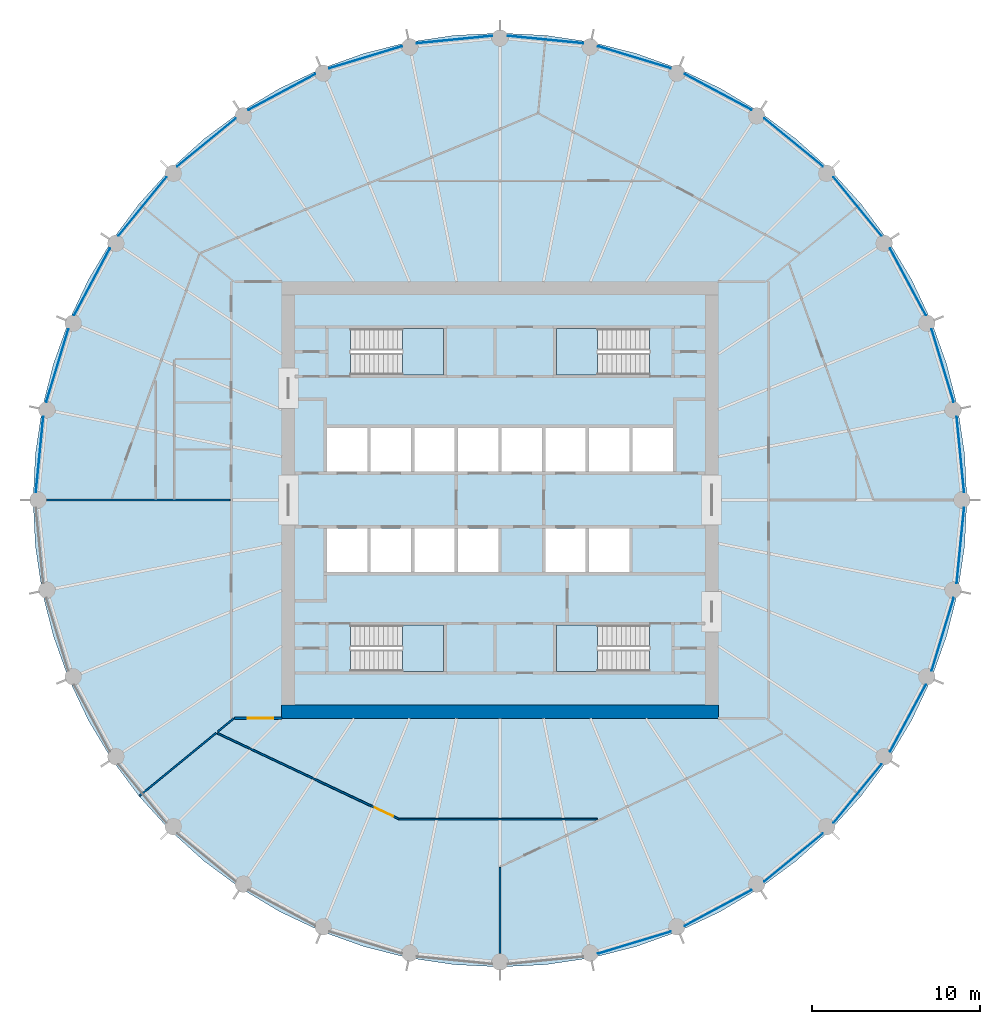
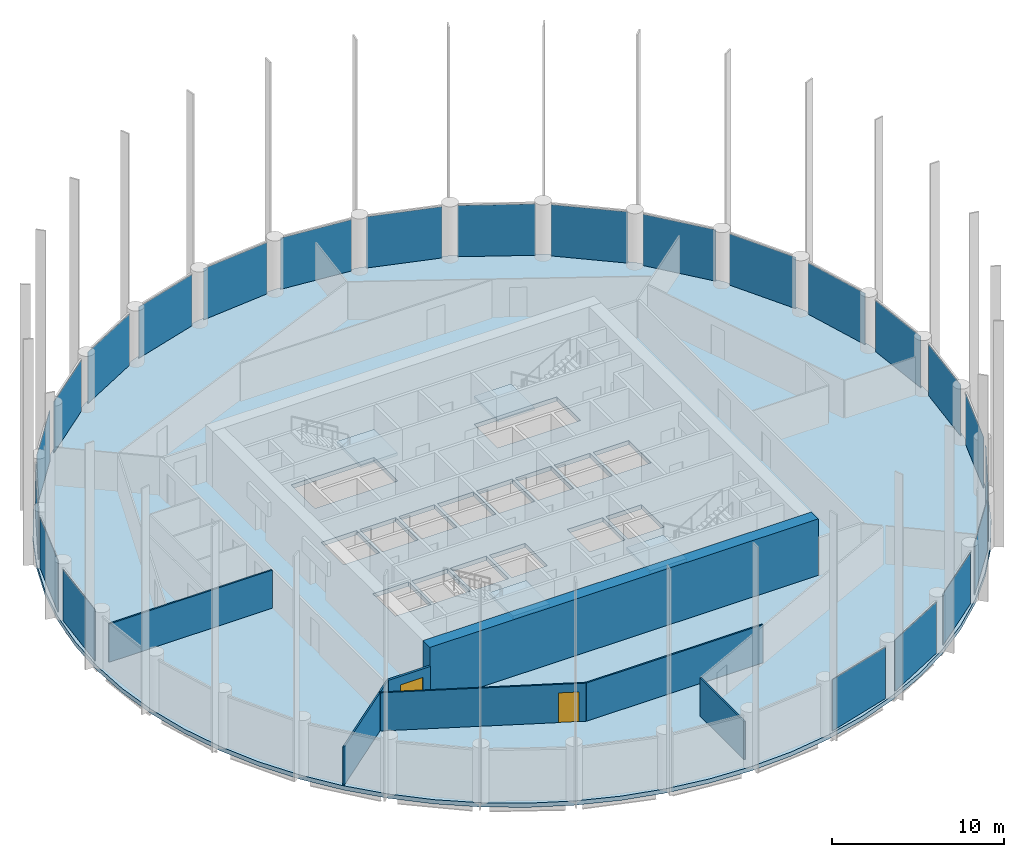
# One storey, part 3 of 8: 23 plates, 8 walls, 5 slabs, 2 doors, 2 openings, 27 elements without a shape of their own.
"""IFC4 building model written with IfcOpenShell, lengths in metres."""

from ifc_helpers import new_model, si_unit, direction, frame, frame_2d, origin, origin_2d, place, context, subcontext, project, spatial, polyline, rectangle, outline, extrude, material, layer, layer_set, type_object, element, fill, aggregate, save


model = new_model("IFC4")

# Units and contexts
model_context = context("Model", 3, precision=1e-05, world=origin(), true_north=direction((0.0, 1.0)))
body_context = subcontext(model_context, "Body", "Model", "MODEL_VIEW")
ifc_project = project(units=[si_unit("LENGTHUNIT", "METRE"), si_unit("AREAUNIT", "SQUARE_METRE"), si_unit("VOLUMEUNIT", "CUBIC_METRE"), si_unit("PLANEANGLEUNIT", "RADIAN"), si_unit("MASSUNIT", "GRAM", prefix="KILO")], contexts=[model_context])

# Site, building, storey
site_placement = place(None, origin())
site = spatial("IfcSite", under=ifc_project, at=site_placement, CompositionType="ELEMENT")
building_placement = place(site_placement, origin())
building = spatial("IfcBuilding", under=site, at=building_placement, Name="Corvane Civic Tower", CompositionType="ELEMENT")
storey_placement = place(building_placement, frame((0.0, 0.0, 233.5)))
storey = spatial("IfcBuildingStorey", under=building, at=storey_placement, Name="L55", CompositionType="ELEMENT", Elevation=233.5)

# Slab
ifc_material_1 = material(Name="Concrete C40/50", Category="concrete")
ifc_layer_1 = layer(ifc_material_1, 0.300048828125)
ifc_layer_set_1 = layer_set([ifc_layer_1], Name="Concrete C40/50")
slab_type_1 = type_object("IfcSlabType", Name="FLOOR SLAB 300", PredefinedType="FLOOR", material=ifc_layer_set_1)
slab_1_placement = place(storey_placement, frame((0.0, 0.0, -0.300048828125)))
element("IfcSlab", 1, at=slab_1_placement, inside=storey, type_object=slab_type_1, Name="SLB-L55", PredefinedType="FLOOR", context=body_context, shape_type="SweptSolid", body=[
    extrude(outline(polyline([(0.0, 27.800048828125), (-2.724853515625, 27.666015625), (-5.423583984375, 27.265869140625), (-8.06982421875, 26.60302734375), (-10.638671875, 25.683837890625), (-13.104736328125, 24.517333984375), (-15.44482421875, 23.11474609375), (-17.63623046875, 21.48974609375), (-19.657470703125, 19.657470703125), (-21.48974609375, 17.63623046875), (-23.11474609375, 15.44482421875), (-24.517333984375, 13.104736328125), (-25.683837890625, 10.638671875), (-26.60302734375, 8.06982421875), (-27.265869140625, 5.423583984375), (-27.666015625, 2.724853515625), (-27.800048828125, 0.0), (-27.666015625, -2.724853515625), (-27.265869140625, -5.423583984375), (-26.60302734375, -8.06982421875), (-25.683837890625, -10.638671875), (-24.517333984375, -13.104736328125), (-23.11474609375, -15.44482421875), (-21.48974609375, -17.63623046875), (-19.657470703125, -19.657470703125), (-17.63623046875, -21.48974609375), (-15.44482421875, -23.11474609375), (-13.104736328125, -24.517333984375), (-10.638671875, -25.683837890625), (-8.06982421875, -26.60302734375), (-5.423583984375, -27.265869140625), (-2.724853515625, -27.666015625), (0.0, -27.800048828125), (2.724853515625, -27.666015625), (5.423583984375, -27.265869140625), (8.06982421875, -26.60302734375), (10.638671875, -25.683837890625), (13.104736328125, -24.517333984375), (15.44482421875, -23.11474609375), (17.63623046875, -21.48974609375), (19.657470703125, -19.657470703125), (21.48974609375, -17.63623046875), (23.11474609375, -15.44482421875), (24.517333984375, -13.104736328125), (25.683837890625, -10.638671875), (26.60302734375, -8.06982421875), (27.265869140625, -5.423583984375), (27.666015625, -2.724853515625), (27.800048828125, 0.0), (27.666015625, 2.724853515625), (27.265869140625, 5.423583984375), (26.60302734375, 8.06982421875), (25.683837890625, 10.638671875), (24.517333984375, 13.104736328125), (23.11474609375, 15.44482421875), (21.48974609375, 17.63623046875), (19.657470703125, 19.657470703125), (17.63623046875, 21.48974609375), (15.44482421875, 23.11474609375), (13.104736328125, 24.517333984375), (10.638671875, 25.683837890625), (8.06982421875, 26.60302734375), (5.423583984375, 27.265869140625), (2.724853515625, 27.666015625), (0.0, 27.800048828125)]), holes=[polyline([(-10.300048828125, 4.300048828125), (-7.89990234375, 4.300048828125), (-7.89990234375, 1.699951171875), (-10.300048828125, 1.699951171875), (-10.300048828125, 4.300048828125)]), polyline([(-5.300048828125, 1.699951171875), (-7.699951171875, 1.699951171875), (-7.699951171875, 4.300048828125), (-5.300048828125, 4.300048828125), (-5.300048828125, 1.699951171875)]), polyline([(-5.10009765625, 4.300048828125), (-2.699951171875, 4.300048828125), (-2.699951171875, 1.699951171875), (-5.10009765625, 1.699951171875), (-5.10009765625, 4.300048828125)]), polyline([(-0.10009765625, 4.300048828125), (-0.10009765625, 1.699951171875), (-2.5, 1.699951171875), (-2.5, 4.300048828125), (-0.10009765625, 4.300048828125)]), polyline([(2.5, 4.300048828125), (2.5, 1.699951171875), (0.10009765625, 1.699951171875), (0.10009765625, 4.300048828125), (2.5, 4.300048828125)]), polyline([(2.699951171875, 4.300048828125), (5.10009765625, 4.300048828125), (5.10009765625, 1.699951171875), (2.699951171875, 1.699951171875), (2.699951171875, 4.300048828125)]), polyline([(5.300048828125, 4.300048828125), (7.699951171875, 4.300048828125), (7.699951171875, 1.699951171875), (5.300048828125, 1.699951171875), (5.300048828125, 4.300048828125)]), polyline([(7.89990234375, 4.300048828125), (10.300048828125, 4.300048828125), (10.300048828125, 1.699951171875), (7.89990234375, 1.699951171875), (7.89990234375, 4.300048828125)]), polyline([(-10.300048828125, -4.300048828125), (-10.300048828125, -1.699951171875), (-7.89990234375, -1.699951171875), (-7.89990234375, -4.300048828125), (-10.300048828125, -4.300048828125)]), polyline([(-5.300048828125, -1.699951171875), (-5.300048828125, -4.300048828125), (-7.699951171875, -4.300048828125), (-7.699951171875, -1.699951171875), (-5.300048828125, -1.699951171875)]), polyline([(-5.10009765625, -4.300048828125), (-5.10009765625, -1.699951171875), (-2.699951171875, -1.699951171875), (-2.699951171875, -4.300048828125), (-5.10009765625, -4.300048828125)]), polyline([(-0.10009765625, -1.699951171875), (-0.10009765625, -4.300048828125), (-2.5, -4.300048828125), (-2.5, -1.699951171875), (-0.10009765625, -1.699951171875)]), polyline([(5.10009765625, -1.699951171875), (5.10009765625, -4.300048828125), (2.699951171875, -4.300048828125), (2.699951171875, -1.699951171875), (5.10009765625, -1.699951171875)]), polyline([(7.699951171875, -1.699951171875), (7.699951171875, -4.300048828125), (5.300048828125, -4.300048828125), (5.300048828125, -1.699951171875), (7.699951171875, -1.699951171875)]), polyline([(8.889892578125, 10.199951171875), (8.889892578125, 7.449951171875), (3.35009765625, 7.449951171875), (3.35009765625, 10.199951171875), (8.889892578125, 10.199951171875)]), polyline([(-8.889892578125, 7.449951171875), (-8.889892578125, 10.199951171875), (-3.35009765625, 10.199951171875), (-3.35009765625, 7.449951171875), (-8.889892578125, 7.449951171875)]), polyline([(8.889892578125, -7.449951171875), (8.889892578125, -10.199951171875), (3.35009765625, -10.199951171875), (3.35009765625, -7.449951171875), (8.889892578125, -7.449951171875)]), polyline([(-8.889892578125, -10.199951171875), (-8.889892578125, -7.449951171875), (-3.35009765625, -7.449951171875), (-3.35009765625, -10.199951171875), (-8.889892578125, -10.199951171875)])]), origin(), (0.0, 0.0, 1.0), 0.300048828125),
])

# Stair, slab
ifc_material_2 = material(Name="Concrete C40/50", Category="concrete")
stair_type = type_object("IfcStairType", Name="ST-STAIR-HALFTURN", PredefinedType="HALF_TURN_STAIR", material=ifc_material_2)
stair_1_placement = place(storey_placement, origin())
stair_1 = element("IfcStair", 2, at=stair_1_placement, inside=storey, type_object=stair_type, Name="L55 Exit stair ST1", PredefinedType="HALF_TURN_STAIR")
ifc_material_3 = material(Name="Concrete C40/50", Category="concrete")
ifc_layer_2 = layer(ifc_material_3, 0.199951171875)
ifc_layer_set_2 = layer_set([ifc_layer_2], Name="Concrete C40/50")
slab_type_2 = type_object("IfcSlabType", Name="ST-LANDING-RC", PredefinedType="LANDING", material=ifc_layer_set_2)
slab_2_placement = place(storey_placement, frame((0.0, 0.0, 1.800048828125)))
slab_2 = element("IfcSlab", 3, at=slab_2_placement, type_object=slab_type_2, Name="ST1 landing 1", PredefinedType="LANDING", context=body_context, shape_type="SweptSolid", body=[
    extrude(outline(polyline([(5.820068359375, 10.199951171875), (3.35009765625, 10.199951171875), (3.35009765625, 7.449951171875), (5.820068359375, 7.449951171875), (5.820068359375, 10.199951171875)])), origin(), (0.0, 0.0, 1.0), 0.199951171875),
])
aggregate(stair_1, [slab_2])

stair_2_placement = place(storey_placement, origin())
stair_2 = element("IfcStair", 4, at=stair_2_placement, inside=storey, type_object=stair_type, Name="L55 Exit stair ST2", PredefinedType="HALF_TURN_STAIR")
slab_3_placement = place(storey_placement, frame((0.0, 0.0, 1.800048828125)))
slab_3 = element("IfcSlab", 5, at=slab_3_placement, type_object=slab_type_2, Name="ST2 landing 1", PredefinedType="LANDING", context=body_context, shape_type="SweptSolid", body=[
    extrude(outline(polyline([(5.820068359375, -7.449951171875), (3.35009765625, -7.449951171875), (3.35009765625, -10.199951171875), (5.820068359375, -10.199951171875), (5.820068359375, -7.449951171875)])), origin(), (0.0, 0.0, 1.0), 0.199951171875),
])
aggregate(stair_2, [slab_3])

stair_3_placement = place(storey_placement, origin())
stair_3 = element("IfcStair", 6, at=stair_3_placement, inside=storey, type_object=stair_type, Name="L55 Exit stair ST3", PredefinedType="HALF_TURN_STAIR")
slab_4_placement = place(storey_placement, frame((0.0, 0.0, 1.800048828125)))
slab_4 = element("IfcSlab", 7, at=slab_4_placement, type_object=slab_type_2, Name="ST3 landing 1", PredefinedType="LANDING", context=body_context, shape_type="SweptSolid", body=[
    extrude(outline(polyline([(-5.820068359375, -10.199951171875), (-3.35009765625, -10.199951171875), (-3.35009765625, -7.449951171875), (-5.820068359375, -7.449951171875), (-5.820068359375, -10.199951171875)])), origin(), (0.0, 0.0, 1.0), 0.199951171875),
])
aggregate(stair_3, [slab_4])

stair_4_placement = place(storey_placement, origin())
stair_4 = element("IfcStair", 8, at=stair_4_placement, inside=storey, type_object=stair_type, Name="L55 Exit stair ST4", PredefinedType="HALF_TURN_STAIR")
slab_5_placement = place(storey_placement, frame((0.0, 0.0, 1.800048828125)))
slab_5 = element("IfcSlab", 9, at=slab_5_placement, type_object=slab_type_2, Name="ST4 landing 1", PredefinedType="LANDING", context=body_context, shape_type="SweptSolid", body=[
    extrude(outline(polyline([(-5.820068359375, 7.449951171875), (-3.35009765625, 7.449951171875), (-3.35009765625, 10.199951171875), (-5.820068359375, 10.199951171875), (-5.820068359375, 7.449951171875)])), origin(), (0.0, 0.0, 1.0), 0.199951171875),
])
aggregate(stair_4, [slab_5])

# Curtain wall, plate
ifc_material_4 = material(Name="Anodised aluminium bronze", Category="aluminium")
curtain_wall_type = type_object("IfcCurtainWallType", Name="TOWER CW-T2 STICK CURTAIN WALL", PredefinedType="NOTDEFINED", material=ifc_material_4)
curtain_wall_1_placement = place(storey_placement, origin())
curtain_wall_1 = element("IfcCurtainWall", 10, at=curtain_wall_1_placement, inside=storey, type_object=curtain_wall_type, Name="Curtain wall CW-T2 L55 bay 01", PredefinedType="NOTDEFINED")
ifc_material_5 = material(Name="Tinted glass", Category="glass")
ifc_layer_3 = layer(ifc_material_5, 0.031982421875)
ifc_layer_set_3 = layer_set([ifc_layer_3], Name="Tinted glass")
plate_type = type_object("IfcPlateType", Name="TOWER CW-T2 PANEL IGU32", PredefinedType="CURTAIN_PANEL", material=ifc_layer_set_3)
plate_1_placement = place(storey_placement, frame((2.699951171875, 27.4140625, 0.0), z_axis=(0.0, 0.0, 1.0), x_axis=(0.995187058378, -0.097993463235, 0.0)))
plate_1 = element("IfcPlate", 11, at=plate_1_placement, type_object=plate_type, Name="Glass panel CW-T2 L55 01.1", PredefinedType="CURTAIN_PANEL", context=body_context, shape_type="SweptSolid", body=[
    extrude(rectangle(XDim=4.517333984375, YDim=0.031982421875, at=origin_2d()), origin(), (0.0, 0.0, 1.0), 3.6298828125),
])
aggregate(curtain_wall_1, [plate_1])

curtain_wall_2_placement = place(storey_placement, origin())
curtain_wall_2 = element("IfcCurtainWall", 12, at=curtain_wall_2_placement, inside=storey, type_object=curtain_wall_type, Name="Curtain wall CW-T2 L55 bay 02", PredefinedType="NOTDEFINED")
plate_2_placement = place(storey_placement, frame((7.996337890625, 26.360595703125, 0.0), z_axis=(0.0, 0.0, 1.0), x_axis=(0.956938843612, -0.290289596069, 0.0)))
plate_2 = element("IfcPlate", 13, at=plate_2_placement, type_object=plate_type, Name="Glass panel CW-T2 L55 02.1", PredefinedType="CURTAIN_PANEL", context=body_context, shape_type="SweptSolid", body=[
    extrude(rectangle(XDim=4.517333984375, YDim=0.031982421875, at=origin_2d()), origin(), (0.0, 0.0, 1.0), 3.6298828125),
])
aggregate(curtain_wall_2, [plate_2])

curtain_wall_3_placement = place(storey_placement, origin())
curtain_wall_3 = element("IfcCurtainWall", 14, at=curtain_wall_3_placement, inside=storey, type_object=curtain_wall_type, Name="Curtain wall CW-T2 L55 bay 03", PredefinedType="NOTDEFINED")
plate_3_placement = place(storey_placement, frame((12.9853515625, 24.294189453125, 0.0), z_axis=(0.0, 0.0, 1.0), x_axis=(0.881920381001, -0.471398389449, 0.0)))
plate_3 = element("IfcPlate", 15, at=plate_3_placement, type_object=plate_type, Name="Glass panel CW-T2 L55 03.1", PredefinedType="CURTAIN_PANEL", context=body_context, shape_type="SweptSolid", body=[
    extrude(rectangle(XDim=4.517333984375, YDim=0.031982421875, at=origin_2d()), origin(), (0.0, 0.0, 1.0), 3.6298828125),
])
aggregate(curtain_wall_3, [plate_3])

curtain_wall_4_placement = place(storey_placement, origin())
curtain_wall_4 = element("IfcCurtainWall", 16, at=curtain_wall_4_placement, inside=storey, type_object=curtain_wall_type, Name="Curtain wall CW-T2 L55 bay 04", PredefinedType="NOTDEFINED")
plate_4_placement = place(storey_placement, frame((17.475341796875, 21.2939453125, 0.0), z_axis=(0.0, 0.0, 1.0), x_axis=(0.773012269331, -0.634391071394, 0.0)))
plate_4 = element("IfcPlate", 17, at=plate_4_placement, type_object=plate_type, Name="Glass panel CW-T2 L55 04.1", PredefinedType="CURTAIN_PANEL", context=body_context, shape_type="SweptSolid", body=[
    extrude(rectangle(XDim=4.517333984375, YDim=0.031982421875, at=origin_2d()), origin(), (0.0, 0.0, 1.0), 3.6298828125),
])
aggregate(curtain_wall_4, [plate_4])

curtain_wall_5_placement = place(storey_placement, origin())
curtain_wall_5 = element("IfcCurtainWall", 18, at=curtain_wall_5_placement, inside=storey, type_object=curtain_wall_type, Name="Curtain wall CW-T2 L55 bay 05", PredefinedType="NOTDEFINED")
plate_5_placement = place(storey_placement, frame((21.2939453125, 17.475341796875, 0.0), z_axis=(0.0, 0.0, 1.0), x_axis=(0.634391071394, -0.773012269331, 0.0)))
plate_5 = element("IfcPlate", 19, at=plate_5_placement, type_object=plate_type, Name="Glass panel CW-T2 L55 05.1", PredefinedType="CURTAIN_PANEL", context=body_context, shape_type="SweptSolid", body=[
    extrude(rectangle(XDim=4.517333984375, YDim=0.031982421875, at=origin_2d()), origin(), (0.0, 0.0, 1.0), 3.6298828125),
])
aggregate(curtain_wall_5, [plate_5])

curtain_wall_6_placement = place(storey_placement, origin())
curtain_wall_6 = element("IfcCurtainWall", 20, at=curtain_wall_6_placement, inside=storey, type_object=curtain_wall_type, Name="Curtain wall CW-T2 L55 bay 06", PredefinedType="NOTDEFINED")
plate_6_placement = place(storey_placement, frame((24.294189453125, 12.9853515625, 0.0), z_axis=(0.0, 0.0, 1.0), x_axis=(0.471398389449, -0.881920381001, 0.0)))
plate_6 = element("IfcPlate", 21, at=plate_6_placement, type_object=plate_type, Name="Glass panel CW-T2 L55 06.1", PredefinedType="CURTAIN_PANEL", context=body_context, shape_type="SweptSolid", body=[
    extrude(rectangle(XDim=4.517333984375, YDim=0.031982421875, at=origin_2d()), origin(), (0.0, 0.0, 1.0), 3.6298828125),
])
aggregate(curtain_wall_6, [plate_6])

curtain_wall_7_placement = place(storey_placement, origin())
curtain_wall_7 = element("IfcCurtainWall", 22, at=curtain_wall_7_placement, inside=storey, type_object=curtain_wall_type, Name="Curtain wall CW-T2 L55 bay 07", PredefinedType="NOTDEFINED")
plate_7_placement = place(storey_placement, frame((26.360595703125, 7.996337890625, 0.0), z_axis=(0.0, 0.0, 1.0), x_axis=(0.290289596069, -0.956938843612, 0.0)))
plate_7 = element("IfcPlate", 23, at=plate_7_placement, type_object=plate_type, Name="Glass panel CW-T2 L55 07.1", PredefinedType="CURTAIN_PANEL", context=body_context, shape_type="SweptSolid", body=[
    extrude(rectangle(XDim=4.517333984375, YDim=0.031982421875, at=origin_2d()), origin(), (0.0, 0.0, 1.0), 3.6298828125),
])
aggregate(curtain_wall_7, [plate_7])

curtain_wall_8_placement = place(storey_placement, origin())
curtain_wall_8 = element("IfcCurtainWall", 24, at=curtain_wall_8_placement, inside=storey, type_object=curtain_wall_type, Name="Curtain wall CW-T2 L55 bay 08", PredefinedType="NOTDEFINED")
plate_8_placement = place(storey_placement, frame((27.4140625, 2.699951171875, 0.0), z_axis=(0.0, 0.0, 1.0), x_axis=(0.097993463235, -0.995187058378, 0.0)))
plate_8 = element("IfcPlate", 25, at=plate_8_placement, type_object=plate_type, Name="Glass panel CW-T2 L55 08.1", PredefinedType="CURTAIN_PANEL", context=body_context, shape_type="SweptSolid", body=[
    extrude(rectangle(XDim=4.517333984375, YDim=0.031982421875, at=origin_2d()), origin(), (0.0, 0.0, 1.0), 3.6298828125),
])
aggregate(curtain_wall_8, [plate_8])

curtain_wall_9_placement = place(storey_placement, origin())
curtain_wall_9 = element("IfcCurtainWall", 26, at=curtain_wall_9_placement, inside=storey, type_object=curtain_wall_type, Name="Curtain wall CW-T2 L55 bay 09", PredefinedType="NOTDEFINED")
plate_9_placement = place(storey_placement, frame((27.4140625, -2.699951171875, 0.0), z_axis=(0.0, 0.0, 1.0), x_axis=(-0.097993463235, -0.995187058378, 0.0)))
plate_9 = element("IfcPlate", 27, at=plate_9_placement, type_object=plate_type, Name="Glass panel CW-T2 L55 09.1", PredefinedType="CURTAIN_PANEL", context=body_context, shape_type="SweptSolid", body=[
    extrude(rectangle(XDim=4.517333984375, YDim=0.031982421875, at=origin_2d()), origin(), (0.0, 0.0, 1.0), 3.6298828125),
])
aggregate(curtain_wall_9, [plate_9])

curtain_wall_10_placement = place(storey_placement, origin())
curtain_wall_10 = element("IfcCurtainWall", 28, at=curtain_wall_10_placement, inside=storey, type_object=curtain_wall_type, Name="Curtain wall CW-T2 L55 bay 10", PredefinedType="NOTDEFINED")
plate_10_placement = place(storey_placement, frame((26.360595703125, -7.996337890625, 0.0), z_axis=(0.0, 0.0, 1.0), x_axis=(-0.290289596069, -0.956938843612, 0.0)))
plate_10 = element("IfcPlate", 29, at=plate_10_placement, type_object=plate_type, Name="Glass panel CW-T2 L55 10.1", PredefinedType="CURTAIN_PANEL", context=body_context, shape_type="SweptSolid", body=[
    extrude(rectangle(XDim=4.517333984375, YDim=0.031982421875, at=origin_2d()), origin(), (0.0, 0.0, 1.0), 3.6298828125),
])
aggregate(curtain_wall_10, [plate_10])

curtain_wall_11_placement = place(storey_placement, origin())
curtain_wall_11 = element("IfcCurtainWall", 30, at=curtain_wall_11_placement, inside=storey, type_object=curtain_wall_type, Name="Curtain wall CW-T2 L55 bay 11", PredefinedType="NOTDEFINED")
plate_11_placement = place(storey_placement, frame((24.294189453125, -12.9853515625, 0.0), z_axis=(0.0, 0.0, 1.0), x_axis=(-0.471398389449, -0.881920381001, 0.0)))
plate_11 = element("IfcPlate", 31, at=plate_11_placement, type_object=plate_type, Name="Glass panel CW-T2 L55 11.1", PredefinedType="CURTAIN_PANEL", context=body_context, shape_type="SweptSolid", body=[
    extrude(rectangle(XDim=4.517333984375, YDim=0.031982421875, at=origin_2d()), origin(), (0.0, 0.0, 1.0), 3.6298828125),
])
aggregate(curtain_wall_11, [plate_11])

curtain_wall_12_placement = place(storey_placement, origin())
curtain_wall_12 = element("IfcCurtainWall", 32, at=curtain_wall_12_placement, inside=storey, type_object=curtain_wall_type, Name="Curtain wall CW-T2 L55 bay 12", PredefinedType="NOTDEFINED")
plate_12_placement = place(storey_placement, frame((21.2939453125, -17.475341796875, 0.0), z_axis=(0.0, 0.0, 1.0), x_axis=(-0.634391071394, -0.773012269331, 0.0)))
plate_12 = element("IfcPlate", 33, at=plate_12_placement, type_object=plate_type, Name="Glass panel CW-T2 L55 12.1", PredefinedType="CURTAIN_PANEL", context=body_context, shape_type="SweptSolid", body=[
    extrude(rectangle(XDim=4.517333984375, YDim=0.031982421875, at=origin_2d()), origin(), (0.0, 0.0, 1.0), 3.6298828125),
])
aggregate(curtain_wall_12, [plate_12])

curtain_wall_13_placement = place(storey_placement, origin())
curtain_wall_13 = element("IfcCurtainWall", 34, at=curtain_wall_13_placement, inside=storey, type_object=curtain_wall_type, Name="Curtain wall CW-T2 L55 bay 13", PredefinedType="NOTDEFINED")
plate_13_placement = place(storey_placement, frame((17.475341796875, -21.2939453125, 0.0), z_axis=(0.0, 0.0, 1.0), x_axis=(-0.773012269331, -0.634391071394, 0.0)))
plate_13 = element("IfcPlate", 35, at=plate_13_placement, type_object=plate_type, Name="Glass panel CW-T2 L55 13.1", PredefinedType="CURTAIN_PANEL", context=body_context, shape_type="SweptSolid", body=[
    extrude(rectangle(XDim=4.517333984375, YDim=0.031982421875, at=origin_2d()), origin(), (0.0, 0.0, 1.0), 3.6298828125),
])
aggregate(curtain_wall_13, [plate_13])

curtain_wall_14_placement = place(storey_placement, origin())
curtain_wall_14 = element("IfcCurtainWall", 36, at=curtain_wall_14_placement, inside=storey, type_object=curtain_wall_type, Name="Curtain wall CW-T2 L55 bay 14", PredefinedType="NOTDEFINED")
plate_14_placement = place(storey_placement, frame((12.9853515625, -24.294189453125, 0.0), z_axis=(0.0, 0.0, 1.0), x_axis=(-0.881920381001, -0.471398389449, 0.0)))
plate_14 = element("IfcPlate", 37, at=plate_14_placement, type_object=plate_type, Name="Glass panel CW-T2 L55 14.1", PredefinedType="CURTAIN_PANEL", context=body_context, shape_type="SweptSolid", body=[
    extrude(rectangle(XDim=4.517333984375, YDim=0.031982421875, at=origin_2d()), origin(), (0.0, 0.0, 1.0), 3.6298828125),
])
aggregate(curtain_wall_14, [plate_14])

curtain_wall_15_placement = place(storey_placement, origin())
curtain_wall_15 = element("IfcCurtainWall", 38, at=curtain_wall_15_placement, inside=storey, type_object=curtain_wall_type, Name="Curtain wall CW-T2 L55 bay 15", PredefinedType="NOTDEFINED")
plate_15_placement = place(storey_placement, frame((7.996337890625, -26.360595703125, 0.0), z_axis=(0.0, 0.0, 1.0), x_axis=(-0.956938843612, -0.290289596069, 0.0)))
plate_15 = element("IfcPlate", 39, at=plate_15_placement, type_object=plate_type, Name="Glass panel CW-T2 L55 15.1", PredefinedType="CURTAIN_PANEL", context=body_context, shape_type="SweptSolid", body=[
    extrude(rectangle(XDim=4.517333984375, YDim=0.031982421875, at=origin_2d()), origin(), (0.0, 0.0, 1.0), 3.6298828125),
])
aggregate(curtain_wall_15, [plate_15])

curtain_wall_16_placement = place(storey_placement, origin())
curtain_wall_16 = element("IfcCurtainWall", 40, at=curtain_wall_16_placement, inside=storey, type_object=curtain_wall_type, Name="Curtain wall CW-T2 L55 bay 25", PredefinedType="NOTDEFINED")
plate_16_placement = place(storey_placement, frame((-27.4140625, 2.699951171875, 0.0), z_axis=(0.0, 0.0, 1.0), x_axis=(0.097993463235, 0.995187058378, 0.0)))
plate_16 = element("IfcPlate", 41, at=plate_16_placement, type_object=plate_type, Name="Glass panel CW-T2 L55 25.1", PredefinedType="CURTAIN_PANEL", context=body_context, shape_type="SweptSolid", body=[
    extrude(rectangle(XDim=4.517333984375, YDim=0.031982421875, at=origin_2d()), origin(), (0.0, 0.0, 1.0), 3.6298828125),
])
aggregate(curtain_wall_16, [plate_16])

curtain_wall_17_placement = place(storey_placement, origin())
curtain_wall_17 = element("IfcCurtainWall", 42, at=curtain_wall_17_placement, inside=storey, type_object=curtain_wall_type, Name="Curtain wall CW-T2 L55 bay 26", PredefinedType="NOTDEFINED")
plate_17_placement = place(storey_placement, frame((-26.360595703125, 7.996337890625, 0.0), z_axis=(0.0, 0.0, 1.0), x_axis=(0.290289596069, 0.956938843612, 0.0)))
plate_17 = element("IfcPlate", 43, at=plate_17_placement, type_object=plate_type, Name="Glass panel CW-T2 L55 26.1", PredefinedType="CURTAIN_PANEL", context=body_context, shape_type="SweptSolid", body=[
    extrude(rectangle(XDim=4.517333984375, YDim=0.031982421875, at=origin_2d()), origin(), (0.0, 0.0, 1.0), 3.6298828125),
])
aggregate(curtain_wall_17, [plate_17])

curtain_wall_18_placement = place(storey_placement, origin())
curtain_wall_18 = element("IfcCurtainWall", 44, at=curtain_wall_18_placement, inside=storey, type_object=curtain_wall_type, Name="Curtain wall CW-T2 L55 bay 27", PredefinedType="NOTDEFINED")
plate_18_placement = place(storey_placement, frame((-24.294189453125, 12.9853515625, 0.0), z_axis=(0.0, 0.0, 1.0), x_axis=(0.471398389449, 0.881920381001, 0.0)))
plate_18 = element("IfcPlate", 45, at=plate_18_placement, type_object=plate_type, Name="Glass panel CW-T2 L55 27.1", PredefinedType="CURTAIN_PANEL", context=body_context, shape_type="SweptSolid", body=[
    extrude(rectangle(XDim=4.517333984375, YDim=0.031982421875, at=origin_2d()), origin(), (0.0, 0.0, 1.0), 3.6298828125),
])
aggregate(curtain_wall_18, [plate_18])

curtain_wall_19_placement = place(storey_placement, origin())
curtain_wall_19 = element("IfcCurtainWall", 46, at=curtain_wall_19_placement, inside=storey, type_object=curtain_wall_type, Name="Curtain wall CW-T2 L55 bay 28", PredefinedType="NOTDEFINED")
plate_19_placement = place(storey_placement, frame((-21.2939453125, 17.475341796875, 0.0), z_axis=(0.0, 0.0, 1.0), x_axis=(0.634391071394, 0.773012269331, 0.0)))
plate_19 = element("IfcPlate", 47, at=plate_19_placement, type_object=plate_type, Name="Glass panel CW-T2 L55 28.1", PredefinedType="CURTAIN_PANEL", context=body_context, shape_type="SweptSolid", body=[
    extrude(rectangle(XDim=4.517333984375, YDim=0.031982421875, at=origin_2d()), origin(), (0.0, 0.0, 1.0), 3.6298828125),
])
aggregate(curtain_wall_19, [plate_19])

curtain_wall_20_placement = place(storey_placement, origin())
curtain_wall_20 = element("IfcCurtainWall", 48, at=curtain_wall_20_placement, inside=storey, type_object=curtain_wall_type, Name="Curtain wall CW-T2 L55 bay 29", PredefinedType="NOTDEFINED")
plate_20_placement = place(storey_placement, frame((-17.475341796875, 21.2939453125, 0.0), z_axis=(0.0, 0.0, 1.0), x_axis=(0.773012269331, 0.634391071394, 0.0)))
plate_20 = element("IfcPlate", 49, at=plate_20_placement, type_object=plate_type, Name="Glass panel CW-T2 L55 29.1", PredefinedType="CURTAIN_PANEL", context=body_context, shape_type="SweptSolid", body=[
    extrude(rectangle(XDim=4.517333984375, YDim=0.031982421875, at=origin_2d()), origin(), (0.0, 0.0, 1.0), 3.6298828125),
])
aggregate(curtain_wall_20, [plate_20])

curtain_wall_21_placement = place(storey_placement, origin())
curtain_wall_21 = element("IfcCurtainWall", 50, at=curtain_wall_21_placement, inside=storey, type_object=curtain_wall_type, Name="Curtain wall CW-T2 L55 bay 30", PredefinedType="NOTDEFINED")
plate_21_placement = place(storey_placement, frame((-12.9853515625, 24.294189453125, 0.0), z_axis=(0.0, 0.0, 1.0), x_axis=(0.881920381001, 0.471398389449, 0.0)))
plate_21 = element("IfcPlate", 51, at=plate_21_placement, type_object=plate_type, Name="Glass panel CW-T2 L55 30.1", PredefinedType="CURTAIN_PANEL", context=body_context, shape_type="SweptSolid", body=[
    extrude(rectangle(XDim=4.517333984375, YDim=0.031982421875, at=origin_2d()), origin(), (0.0, 0.0, 1.0), 3.6298828125),
])
aggregate(curtain_wall_21, [plate_21])

curtain_wall_22_placement = place(storey_placement, origin())
curtain_wall_22 = element("IfcCurtainWall", 52, at=curtain_wall_22_placement, inside=storey, type_object=curtain_wall_type, Name="Curtain wall CW-T2 L55 bay 31", PredefinedType="NOTDEFINED")
plate_22_placement = place(storey_placement, frame((-7.996337890625, 26.360595703125, 0.0), z_axis=(0.0, 0.0, 1.0), x_axis=(0.956938843612, 0.290289596069, 0.0)))
plate_22 = element("IfcPlate", 53, at=plate_22_placement, type_object=plate_type, Name="Glass panel CW-T2 L55 31.1", PredefinedType="CURTAIN_PANEL", context=body_context, shape_type="SweptSolid", body=[
    extrude(rectangle(XDim=4.517333984375, YDim=0.031982421875, at=origin_2d()), origin(), (0.0, 0.0, 1.0), 3.6298828125),
])
aggregate(curtain_wall_22, [plate_22])

curtain_wall_23_placement = place(storey_placement, origin())
curtain_wall_23 = element("IfcCurtainWall", 54, at=curtain_wall_23_placement, inside=storey, type_object=curtain_wall_type, Name="Curtain wall CW-T2 L55 bay 32", PredefinedType="NOTDEFINED")
plate_23_placement = place(storey_placement, frame((-2.699951171875, 27.4140625, 0.0), z_axis=(0.0, 0.0, 1.0), x_axis=(0.995187058378, 0.097993463235, 0.0)))
plate_23 = element("IfcPlate", 55, at=plate_23_placement, type_object=plate_type, Name="Glass panel CW-T2 L55 32.1", PredefinedType="CURTAIN_PANEL", context=body_context, shape_type="SweptSolid", body=[
    extrude(rectangle(XDim=4.517333984375, YDim=0.031982421875, at=origin_2d()), origin(), (0.0, 0.0, 1.0), 3.6298828125),
])
aggregate(curtain_wall_23, [plate_23])

# Walls
ifc_material_6 = material(Name="Concrete C50/60", Category="concrete")
ifc_layer_4 = layer(ifc_material_6, 0.800048828125)
ifc_layer_set_4 = layer_set([ifc_layer_4], Name="Concrete C50/60")
wall_type_1 = type_object("IfcWallType", Name="CORE WALL 800 C50/60", PredefinedType="SHEAR", material=ifc_layer_set_4)
wall_1_placement = place(storey_placement, frame((-13.0, -12.60009765625, 0.0), z_axis=(0.0, 0.0, 1.0), x_axis=(1.0, 0.0, 0.0)))
element("IfcWall", 56, at=wall_1_placement, inside=storey, type_object=wall_type_1, Name="W-L55-core-S", PredefinedType="SHEAR", context=body_context, shape_type="SweptSolid", body=[
    extrude(rectangle(XDim=26.0, YDim=0.800048828125, at=frame_2d((13.0, 0.0))), origin(), (0.0, 0.0, 1.0), 4.0),
])
ifc_material_7 = material(Name="Plasterboard")
ifc_layer_5 = layer(ifc_material_7, 0.10009765625)
ifc_layer_set_5 = layer_set([ifc_layer_5], Name="Plasterboard")
wall_type_2 = type_object("IfcWallType", Name="Partition 100 plasterboard on studs", PredefinedType="PARTITIONING", material=ifc_layer_set_5)
wall_2_placement = place(storey_placement, frame((0.0, -26.989990234375, 0.0), z_axis=(0.0, 0.0, 1.0), x_axis=(0.0, 1.0, 0.0)))
element("IfcWall", 57, at=wall_2_placement, inside=storey, type_object=wall_type_2, Name="Partition L55.001", PredefinedType="PARTITIONING", context=body_context, shape_type="SweptSolid", body=[
    extrude(rectangle(XDim=5.115234375, YDim=0.10009765625, at=frame_2d((2.5576171875, 0.0))), origin(), (0.0, 0.0, 1.0), 2.699951171875),
])

# Wall, opening, door
wall_3_placement = place(storey_placement, frame((-16.813720703125, -13.890869140625, 0.0), z_axis=(0.0, 0.0, 1.0), x_axis=(0.903992517298, -0.42754827642, 0.0)))
wall_3 = element("IfcWall", 58, at=wall_3_placement, inside=storey, type_object=wall_type_2, Name="Partition L55.003", PredefinedType="PARTITIONING", context=body_context, shape_type="SweptSolid", body=[
    extrude(rectangle(XDim=11.9384765625, YDim=0.10009765625, at=frame_2d((5.96923828125, 0.0))), origin(), (0.0, 0.0, 1.0), 2.699951171875),
])
opening_1_placement = place(wall_3_placement, frame((10.347412109375, 0.0, 0.0)))
opening_1 = element("IfcOpeningElement", 59, at=opening_1_placement, cuts=wall_3, Name="Opening L55.006", PredefinedType="OPENING", context=body_context, shape_type="SweptSolid", body=[
    extrude(rectangle(XDim=1.199951171875, YDim=2.10009765625, at=frame_2d((0.60009765625, 1.050048828125))), frame((0.0, 0.06005859375, 0.0), z_axis=(0.0, -1.0, 0.0), x_axis=(1.0, 0.0, 0.0)), (0.0, 0.0, 1.0), 0.1201171875),
])
ifc_material_8 = material(Name="Timber", Category="wood")
door_type_1 = type_object("IfcDoorType", Name="Double door 1200", OperationType="NOTDEFINED", PredefinedType="DOOR", material=ifc_material_8)
door_1_placement = place(opening_1_placement, frame((1.199951171875, 0.0, 0.0), z_axis=(0.0, 0.0, 1.0), x_axis=(-1.0, 0.0, 0.0)))
door_1 = element("IfcDoor", 60, at=door_1_placement, inside=storey, type_object=door_type_1, Name="Door L55.006", OperationType="DOUBLE_DOOR_SINGLE_SWING", OverallHeight=2.10009765625, OverallWidth=1.199951171875, PredefinedType="DOOR", context=body_context, shape_type="SweptSolid", body=[
    extrude(rectangle(XDim=1.199951171875, YDim=2.10009765625, at=frame_2d((0.60009765625, 1.050048828125))), frame((0.0, 0.02490234375, 0.0), z_axis=(0.0, -1.0, 0.0), x_axis=(1.0, 0.0, 0.0)), (0.0, 0.0, 1.0), 0.050048828125),
])
fill(opening_1, door_1)

# Walls
wall_4_placement = place(storey_placement, frame((-6.0, -19.0, 0.0), z_axis=(0.0, 0.0, 1.0), x_axis=(1.0, 0.0, 0.0)))
element("IfcWall", 61, at=wall_4_placement, inside=storey, type_object=wall_type_2, Name="Partition L55.004", PredefinedType="PARTITIONING", context=body_context, shape_type="SweptSolid", body=[
    extrude(rectangle(XDim=11.78857421875, YDim=0.10009765625, at=frame_2d((5.894287109375, 0.0))), origin(), (0.0, 0.0, 1.0), 2.699951171875),
])
wall_5_placement = place(storey_placement, frame((-21.451171875, -17.6044921875, 0.0), z_axis=(0.0, 0.0, 1.0), x_axis=(0.773006615465, 0.634397960626, 0.0)))
element("IfcWall", 62, at=wall_5_placement, inside=storey, type_object=wall_type_2, Name="Partition L55.005", PredefinedType="PARTITIONING", context=body_context, shape_type="SweptSolid", body=[
    extrude(rectangle(XDim=5.886474609375, YDim=0.10009765625, at=frame_2d((2.943359375, 0.0))), origin(), (0.0, 0.0, 1.0), 2.699951171875),
])
wall_6_placement = place(storey_placement, frame((-16.796630859375, -13.78466796875, 0.0), z_axis=(0.0, 0.0, 1.0), x_axis=(0.772912170581, 0.634513023167, 0.0)))
element("IfcWall", 63, at=wall_6_placement, inside=storey, type_object=wall_type_2, Name="Partition L55.008", PredefinedType="PARTITIONING", context=body_context, shape_type="SweptSolid", body=[
    extrude(rectangle(XDim=1.218994140625, YDim=0.10009765625, at=frame_2d((0.609375, 0.0))), origin(), (0.0, 0.0, 1.0), 2.699951171875),
])
wall_7_placement = place(storey_placement, frame((-26.989990234375, 0.0, 0.0), z_axis=(0.0, 0.0, 1.0), x_axis=(1.0, 0.0, 0.0)))
element("IfcWall", 64, at=wall_7_placement, inside=storey, type_object=wall_type_2, Name="Partition L55.013", PredefinedType="PARTITIONING", context=body_context, shape_type="SweptSolid", body=[
    extrude(rectangle(XDim=10.9150390625, YDim=0.10009765625, at=frame_2d((5.45751953125, 0.0))), origin(), (0.0, 0.0, 1.0), 2.699951171875),
])

# Wall, opening, door
ifc_material_9 = material(Name="Plasterboard")
ifc_layer_6 = layer(ifc_material_9, 0.14990234375)
ifc_layer_set_6 = layer_set([ifc_layer_6], Name="Plasterboard")
wall_type_3 = type_object("IfcWallType", Name="Tenancy wall 150 EI 60", PredefinedType="PARTITIONING", material=ifc_layer_set_6)
wall_8_placement = place(storey_placement, frame((-15.813720703125, -13.0, 0.0), z_axis=(0.0, 0.0, 1.0), x_axis=(1.0, 0.0, 0.0)))
wall_8 = element("IfcWall", 65, at=wall_8_placement, inside=storey, type_object=wall_type_3, Name="Partition L55.010", PredefinedType="PARTITIONING", context=body_context, shape_type="SweptSolid", body=[
    extrude(rectangle(XDim=2.82373046875, YDim=0.14990234375, at=frame_2d((1.411865234375, 0.0))), origin(), (0.0, 0.0, 1.0), 2.699951171875),
])
opening_2_placement = place(wall_8_placement, frame((0.80126953125, 0.0, 0.0)))
opening_2 = element("IfcOpeningElement", 66, at=opening_2_placement, cuts=wall_8, Name="Opening L55.007", PredefinedType="OPENING", context=body_context, shape_type="SweptSolid", body=[
    extrude(rectangle(XDim=1.5, YDim=2.10009765625, at=frame_2d((0.75, 1.050048828125))), frame((0.0, 0.0849609375, 0.0), z_axis=(0.0, -1.0, 0.0), x_axis=(1.0, 0.0, 0.0)), (0.0, 0.0, 1.0), 0.169921875),
])
ifc_material_10 = material(Name="Steel and timber", Category="steel")
door_type_2 = type_object("IfcDoorType", Name="Fire door FD60 double 1500", OperationType="NOTDEFINED", PredefinedType="DOOR", material=ifc_material_10)
door_2_placement = place(opening_2_placement, frame((1.5, 0.0, 0.0), z_axis=(0.0, 0.0, 1.0), x_axis=(-1.0, 0.0, 0.0)))
door_2 = element("IfcDoor", 67, at=door_2_placement, inside=storey, type_object=door_type_2, Name="Door L55.007", OperationType="DOUBLE_DOOR_SINGLE_SWING", OverallHeight=2.10009765625, OverallWidth=1.5, PredefinedType="DOOR", context=body_context, shape_type="SweptSolid", body=[
    extrude(rectangle(XDim=1.5, YDim=2.10009765625, at=frame_2d((0.75, 1.050048828125))), frame((0.0, 0.02490234375, 0.0), z_axis=(0.0, -1.0, 0.0), x_axis=(1.0, 0.0, 0.0)), (0.0, 0.0, 1.0), 0.050048828125),
])
fill(opening_2, door_2)

save(model, "model.ifc")
